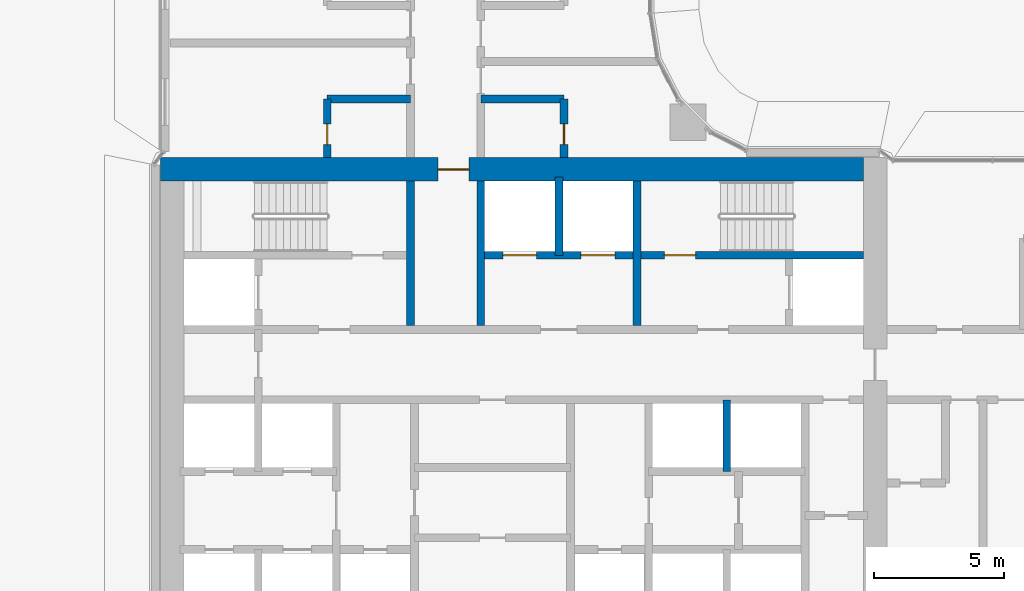
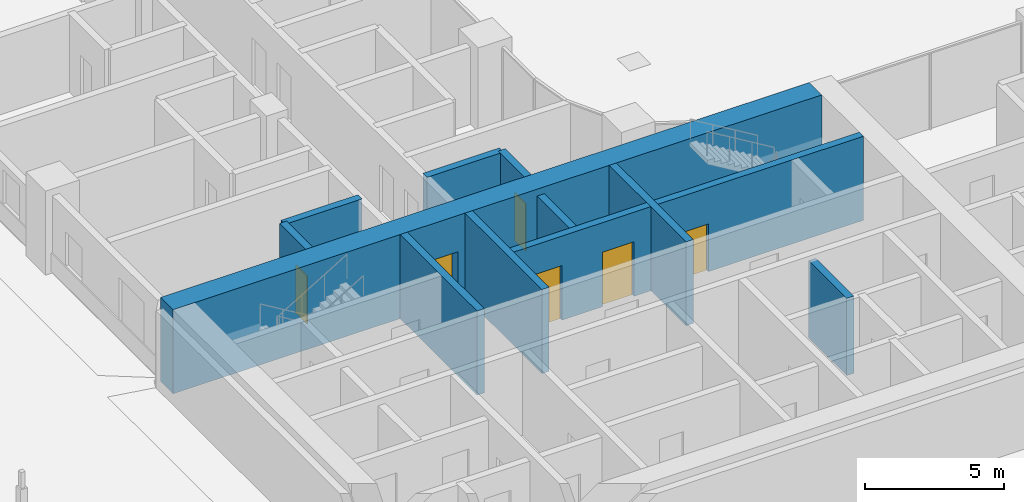
# One storey, part 22 of 51: 11 walls, 6 doors, 6 openings.
"""IFC4 building model written with IfcOpenShell, lengths in metres."""

import ifcopenshell
import ifcopenshell.guid

model = None  # the IFC model being written
_history = None  # IfcOwnerHistory: only IFC2X3 demands one
_inside = {}  # id of a spatial element -> (the spatial element, [elements in it])
_under = {}  # id of a project, library or spatial element -> (it, [spatial elements below it])
_declared = {}  # id of a project -> (the project, [libraries it declares])
_typed = {}  # id of a type object -> (the type object, [elements of that type])
_made_of = {}  # id of a material, layer set ... -> (it, [elements and type objects made of it])


def new_model(schema):
    """Start an empty IFC model of exactly this schema.

    Asked for "IFC4X3", IfcOpenShell would pick the latest addendum, in which some entities
    have other attributes; the version numbers below select the first issue.
    IFC2X3 requires an IfcOwnerHistory on every rooted entity: one is made here for all.
    """
    global model, _history
    if schema == "IFC4X3":
        model = ifcopenshell.file(schema_version=(4, 3, 0, 0))
    else:
        model = ifcopenshell.file(schema=schema)
    _inside.clear()
    _under.clear()
    _declared.clear()
    _typed.clear()
    _made_of.clear()
    _history = None
    if model.schema == "IFC2X3":
        org = make("IfcOrganization", Name="unknown")
        user = make(
            "IfcPersonAndOrganization",
            ThePerson=make("IfcPerson", FamilyName="unknown"),
            TheOrganization=org,
        )
        app = make(
            "IfcApplication",
            ApplicationDeveloper=org,
            Version="unknown",
            ApplicationFullName="unknown",
            ApplicationIdentifier="unknown",
        )
        _history = make(
            "IfcOwnerHistory",
            OwningUser=user,
            OwningApplication=app,
            ChangeAction="ADDED",
            CreationDate=0,
        )
    return model


def make(cls, **values):
    """One entity of the class cls with the attributes given. An attribute that is None is left unset."""
    return model.create_entity(
        cls, **{name: value for name, value in values.items() if value is not None}
    )


def rooted(cls, **values):
    """An entity with a GlobalId (a new one), such as an element, a storey or a relation."""
    return make(cls, GlobalId=ifcopenshell.guid.new(), OwnerHistory=_history, **values)


def si_unit(unit_type, name, prefix=None):
    """IfcSIUnit, for example si_unit("LENGTHUNIT", "METRE", prefix="MILLI")."""
    return make("IfcSIUnit", UnitType=unit_type, Prefix=prefix, Name=name)


def assignment(units):
    """IfcUnitAssignment: the units of a project."""
    return None if units is None else make("IfcUnitAssignment", Units=units)


def point(xyz):
    """IfcCartesianPoint."""
    return None if xyz is None else make("IfcCartesianPoint", Coordinates=xyz)


def direction(xyz):
    """IfcDirection."""
    return None if xyz is None else make("IfcDirection", DirectionRatios=xyz)


def frame(location, z_axis=None, x_axis=None):
    """IfcAxis2Placement3D, a coordinate frame: its origin and axes. An axis left out is left unset."""
    return make(
        "IfcAxis2Placement3D",
        Location=point(location),
        Axis=direction(z_axis),
        RefDirection=direction(x_axis),
    )


def frame_2d(location, x_axis=None):
    """IfcAxis2Placement2D, a coordinate frame in the plane: its origin and x axis."""
    return make(
        "IfcAxis2Placement2D", Location=point(location), RefDirection=direction(x_axis)
    )


def origin():
    """The frame at (0, 0, 0) with its axes left unset."""
    return frame((0.0, 0.0, 0.0))


def place(relative_to, where):
    """IfcLocalPlacement: puts the frame where relative to a parent placement (None: the world)."""
    return make(
        "IfcLocalPlacement", PlacementRelTo=relative_to, RelativePlacement=where
    )


def context(
    kind, dimensions, precision=None, world=None, true_north=None, identifier=None
):
    """IfcGeometricRepresentationContext, for example the 3D "Model" context."""
    return make(
        "IfcGeometricRepresentationContext",
        ContextIdentifier=identifier,
        ContextType=kind,
        CoordinateSpaceDimension=dimensions,
        Precision=precision,
        WorldCoordinateSystem=world,
        TrueNorth=true_north,
    )


def subcontext(parent, identifier, kind, view, scale=None):
    """IfcGeometricRepresentationSubContext, for example "Body" below "Model"."""
    return make(
        "IfcGeometricRepresentationSubContext",
        ContextIdentifier=identifier,
        ContextType=kind,
        ParentContext=parent,
        TargetScale=scale,
        TargetView=view,
    )


def project(units=None, contexts=None):
    """IfcProject with its units and contexts."""
    return rooted(
        "IfcProject",
        Name="project",
        RepresentationContexts=contexts,
        UnitsInContext=assignment(units),
    )


def spatial(cls, under=None, at=None, **own):
    """A site, building, storey or space (cls), placed at a placement, below another one or the project."""
    s = rooted(cls, ObjectPlacement=at, **own)
    if under is not None:
        _under.setdefault(under.id(), (under, []))[1].append(s)
    return s


def profile(cls, at=None, kind="AREA", **sizes):
    """A parametric profile (cls). Its sizes go by their IFC names, for example OverallWidth=200.0."""
    return make(cls, ProfileType=kind, Position=at, **sizes)


def rectangle(**sizes):
    """IfcRectangleProfileDef."""
    return profile("IfcRectangleProfileDef", **sizes)


def extrude(swept, where, along, depth):
    """IfcExtrudedAreaSolid: the profile swept, set in the frame where, extruded along a direction by depth."""
    return make(
        "IfcExtrudedAreaSolid",
        SweptArea=swept,
        Position=where,
        ExtrudedDirection=direction(along),
        Depth=depth,
    )


def shape(context_of_items, identifier, shape_type, items):
    """IfcShapeRepresentation: the items that make up one representation, for example the "Body"."""
    return make(
        "IfcShapeRepresentation",
        ContextOfItems=context_of_items,
        RepresentationIdentifier=identifier,
        RepresentationType=shape_type,
        Items=items,
    )


def material(Name=None, Category=None):
    """IfcMaterial."""
    return make("IfcMaterial", Name=Name, Category=Category)


def layer(
    of_material, thickness, ventilated=None, Name=None, Category=None, Priority=None
):
    """IfcMaterialLayer: one layer of a wall or slab, of a material (None: an air gap)."""
    return make(
        "IfcMaterialLayer",
        Material=of_material,
        LayerThickness=thickness,
        IsVentilated=ventilated,
        Name=Name,
        Category=Category,
        Priority=Priority,
    )


def layer_set(layers, Name=None):
    """IfcMaterialLayerSet."""
    return make("IfcMaterialLayerSet", MaterialLayers=layers, LayerSetName=Name)


def made_of(thing, what):
    """Note that an element or type object is made of a material, layer set ...; save() writes the relation."""
    if what is not None:
        _made_of.setdefault(what.id(), (what, []))[1].append(thing)
    return thing


def type_object(cls, material=None, **own):
    """A type object (cls), such as IfcWallType, which elements share."""
    return made_of(rooted(cls, **own), material)


def element(
    cls,
    number,
    at=None,
    inside=None,
    cuts=None,
    type_object=None,
    material=None,
    context=None,
    identifier="Body",
    shape_type=None,
    held_by="IfcProductDefinitionShape",
    body=None,
    shapes=None,
    **own,
):
    """One element of the class cls, such as IfcWall. Its Tag is "e" and its number.

    at: its placement. inside: the storey or other place that contains it. cuts: it is an
    opening in that element (IfcRelVoidsElement). A single representation is given by context,
    identifier, shape_type and body (its items); several are given by shapes. held_by: the class
    of the entity that holds the representations. save() writes the other relations.
    """
    e = rooted(cls, Tag="e%d" % number, ObjectPlacement=at, **own)
    if body is not None:
        shapes = [shape(context, identifier, shape_type, body)]
    if shapes is not None:
        e.Representation = make(held_by, Representations=shapes)
    if inside is not None:
        _inside.setdefault(inside.id(), (inside, []))[1].append(e)
    if cuts is not None:
        rooted(
            "IfcRelVoidsElement", RelatingBuildingElement=cuts, RelatedOpeningElement=e
        )
    if type_object is not None:
        _typed.setdefault(type_object.id(), (type_object, []))[1].append(e)
    return made_of(e, material)


def fill(opening, filler):
    """IfcRelFillsElement: the door or window that sits in an opening."""
    return rooted(
        "IfcRelFillsElement",
        RelatingOpeningElement=opening,
        RelatedBuildingElement=filler,
    )


def aggregate(whole, parts):
    """IfcRelAggregates: a whole, such as a stair, and the parts it consists of."""
    return rooted("IfcRelAggregates", RelatingObject=whole, RelatedObjects=parts)


def save(model, path):
    """Write the relations noted so far, then the file.

    IfcRelAggregates (storeys below a building ...), IfcRelContainedInSpatialStructure (elements
    in a storey), IfcRelDefinesByType, IfcRelAssociatesMaterial and IfcRelDeclares: one each for
    every whole, place, type object, material and project.
    """
    for whole, parts in _under.values():
        aggregate(whole, parts)
    for where, things in _inside.values():
        rooted(
            "IfcRelContainedInSpatialStructure",
            RelatedElements=things,
            RelatingStructure=where,
        )
    for kind, things in _typed.values():
        rooted("IfcRelDefinesByType", RelatedObjects=things, RelatingType=kind)
    for what, things in _made_of.values():
        rooted("IfcRelAssociatesMaterial", RelatedObjects=things, RelatingMaterial=what)
    for by, libraries in _declared.values():
        rooted("IfcRelDeclares", RelatingContext=by, RelatedDefinitions=libraries)
    model.write(path)


model = new_model("IFC4")

# Units and contexts
model_context = context("Model", 3, precision=1e-05, world=origin(), true_north=direction((0.0, 1.0)))
body_context = subcontext(model_context, "Body", "Model", "MODEL_VIEW")
ifc_project = project(units=[si_unit("LENGTHUNIT", "METRE"), si_unit("AREAUNIT", "SQUARE_METRE"), si_unit("VOLUMEUNIT", "CUBIC_METRE"), si_unit("PLANEANGLEUNIT", "RADIAN"), si_unit("MASSUNIT", "GRAM", prefix="KILO")], contexts=[model_context])

# Site, building, storey
site_placement = place(None, origin())
site = spatial("IfcSite", under=ifc_project, at=site_placement, CompositionType="ELEMENT")
building_placement = place(site_placement, origin())
building = spatial("IfcBuilding", under=site, at=building_placement, Name="Ogive Portal Towers", CompositionType="ELEMENT")
storey_placement = place(building_placement, frame((0.0, 0.0, 33.5)))
storey = spatial("IfcBuildingStorey", under=building, at=storey_placement, Name="L06", CompositionType="ELEMENT", Elevation=33.5)

# Wall, openings, doors
ifc_material_1 = material(Name="Concrete C60/75", Category="concrete")
ifc_layer_1 = layer(ifc_material_1, 0.300048828125)
ifc_layer_set_1 = layer_set([ifc_layer_1], Name="CORE WALL 300 C60")
wall_type_1 = type_object("IfcWallType", Name="CORE WALL 300 C60", PredefinedType="SHEAR", material=ifc_layer_set_1)
wall_1_placement = place(storey_placement, frame((43.5, 36.199951171875, 0.0), z_axis=(0.0, 0.0, 1.0), x_axis=(1.0, 0.0, 0.0)))
wall_1 = element("IfcWall", 1, at=wall_1_placement, inside=storey, type_object=wall_type_1, Name="Core wall Y3b L06", PredefinedType="SHEAR", context=body_context, shape_type="SweptSolid", body=[
    extrude(rectangle(XDim=14.550048828125, YDim=0.300048828125, at=frame_2d((7.27490234375, 0.0))), origin(), (0.0, 0.0, 1.0), 3.699951171875),
])
opening_1_placement = place(wall_1_placement, frame((6.89990234375, 0.0, 0.0)))
opening_1 = element("IfcOpeningElement", 2, at=opening_1_placement, cuts=wall_1, Name="Opening D01-006", PredefinedType="OPENING", context=body_context, shape_type="SweptSolid", body=[
    extrude(rectangle(XDim=1.199951171875, YDim=2.10009765625, at=frame_2d((0.60009765625, 1.050048828125))), frame((0.0, 0.16015625, 0.0), z_axis=(0.0, -1.0, 0.0), x_axis=(1.0, 0.0, 0.0)), (0.0, 0.0, 1.0), 0.320068359375),
])
opening_2_placement = place(wall_1_placement, frame((0.699951171875, 0.0, 0.0)))
opening_2 = element("IfcOpeningElement", 3, at=opening_2_placement, cuts=wall_1, Name="Opening D01-017", PredefinedType="OPENING", context=body_context, shape_type="SweptSolid", body=[
    extrude(rectangle(XDim=1.300048828125, YDim=2.39990234375, at=frame_2d((0.64990234375, 1.199951171875))), frame((0.0, 0.16015625, 0.0), z_axis=(0.0, -1.0, 0.0), x_axis=(1.0, 0.0, 0.0)), (0.0, 0.0, 1.0), 0.320068359375),
])
opening_3_placement = place(wall_1_placement, frame((3.699951171875, 0.0, 0.0)))
opening_3 = element("IfcOpeningElement", 4, at=opening_3_placement, cuts=wall_1, Name="Opening D01-018", PredefinedType="OPENING", context=body_context, shape_type="SweptSolid", body=[
    extrude(rectangle(XDim=1.300048828125, YDim=2.39990234375, at=frame_2d((0.64990234375, 1.199951171875))), frame((0.0, 0.16015625, 0.0), z_axis=(0.0, -1.0, 0.0), x_axis=(1.0, 0.0, 0.0)), (0.0, 0.0, 1.0), 0.320068359375),
])
ifc_material_2 = material(Name="Stainless steel", Category="steel")
door_type_1 = type_object("IfcDoorType", Name="DT-LD-1300x2400", OperationType="SLIDING_TO_LEFT", PredefinedType="DOOR", material=ifc_material_2)
door_1_placement = place(opening_2_placement, origin())
door_1 = element("IfcDoor", 5, at=door_1_placement, inside=storey, type_object=door_type_1, Name="Door D01-017", OperationType="SLIDING_TO_LEFT", OverallHeight=2.39990234375, OverallWidth=1.300048828125, PredefinedType="DOOR", context=body_context, shape_type="SweptSolid", body=[
    extrude(rectangle(XDim=1.300048828125, YDim=2.39990234375, at=frame_2d((0.64990234375, 1.199951171875))), frame((0.0, 0.02490234375, 0.0), z_axis=(0.0, -1.0, 0.0), x_axis=(1.0, 0.0, 0.0)), (0.0, 0.0, 1.0), 0.050048828125),
])
fill(opening_2, door_1)
door_2_placement = place(opening_3_placement, origin())
door_2 = element("IfcDoor", 6, at=door_2_placement, inside=storey, type_object=door_type_1, Name="Door D01-018", OperationType="SLIDING_TO_LEFT", OverallHeight=2.39990234375, OverallWidth=1.300048828125, PredefinedType="DOOR", context=body_context, shape_type="SweptSolid", body=[
    extrude(rectangle(XDim=1.300048828125, YDim=2.39990234375, at=frame_2d((0.64990234375, 1.199951171875))), frame((0.0, 0.02490234375, 0.0), z_axis=(0.0, -1.0, 0.0), x_axis=(1.0, 0.0, 0.0)), (0.0, 0.0, 1.0), 0.050048828125),
])
fill(opening_3, door_2)
ifc_material_3 = material(Name="Steel fire door", Category="steel")
door_type_2 = type_object("IfcDoorType", Name="DT-SWING-1200x2100-FD90S", OperationType="SINGLE_SWING_LEFT", PredefinedType="DOOR", material=ifc_material_3)
door_3_placement = place(opening_1_placement, origin())
door_3 = element("IfcDoor", 7, at=door_3_placement, inside=storey, type_object=door_type_2, Name="Door D01-006", OperationType="SINGLE_SWING_LEFT", OverallHeight=2.10009765625, OverallWidth=1.199951171875, PredefinedType="DOOR", context=body_context, shape_type="SweptSolid", body=[
    extrude(rectangle(XDim=1.199951171875, YDim=2.10009765625, at=frame_2d((0.60009765625, 1.050048828125))), frame((0.0, 0.02490234375, 0.0), z_axis=(0.0, -1.0, 0.0), x_axis=(1.0, 0.0, 0.0)), (0.0, 0.0, 1.0), 0.050048828125),
])
fill(opening_1, door_3)

# Walls
for number, where, z_axis, x_axis, name in (
    (8, (40.64990234375, 33.5, 0.0), (0.0, 0.0, 1.0), (0.0, 1.0, 0.0), "Core wall X6 L06"),
    (9, (43.35009765625, 33.5, 0.0), (0.0, 0.0, 1.0), (0.0, 1.0, 0.0), "Core wall X7 L06"),
    (10, (49.35009765625, 33.5, 0.0), (0.0, 0.0, 1.0), (0.0, 1.0, 0.0), "Core wall X9 L06"),
):
    element("IfcWall", number, at=place(storey_placement, frame(where, z_axis=z_axis, x_axis=x_axis)), inside=storey, type_object=wall_type_1, Name=name, PredefinedType="SHEAR", context=body_context, shape_type="SweptSolid", body=[
        extrude(rectangle(XDim=5.550048828125, YDim=0.300048828125, at=frame_2d((2.77490234375, 0.0))), origin(), (0.0, 0.0, 1.0), 3.699951171875),
    ])

# Wall, opening, door
ifc_layer_2 = layer(ifc_material_1, 0.89990234375)
ifc_layer_set_2 = layer_set([ifc_layer_2], Name="CORE WALL 900 C60")
wall_type_2 = type_object("IfcWallType", Name="CORE WALL 900 C60", PredefinedType="SHEAR", material=ifc_layer_set_2)
wall_2_placement = place(storey_placement, frame((31.050048828125, 39.5, 0.0), z_axis=(0.0, 0.0, 1.0), x_axis=(1.0, 0.0, 0.0)))
wall_2 = element("IfcWall", 11, at=wall_2_placement, inside=storey, type_object=wall_type_2, Name="Core wall N L06", PredefinedType="SHEAR", context=body_context, shape_type="SweptSolid", body=[
    extrude(rectangle(XDim=27.0, YDim=0.89990234375, at=frame_2d((13.5, 0.0))), origin(), (0.0, 0.0, 1.0), 3.699951171875),
])
opening_4_placement = place(wall_2_placement, frame((10.64990234375, 0.0, 0.0)))
opening_4 = element("IfcOpeningElement", 12, at=opening_4_placement, cuts=wall_2, Name="Opening D01-012", PredefinedType="OPENING", context=body_context, shape_type="SweptSolid", body=[
    extrude(rectangle(XDim=1.199951171875, YDim=2.10009765625, at=frame_2d((0.60009765625, 1.050048828125))), frame((0.0, 0.4599609375, 0.0), z_axis=(0.0, -1.0, 0.0), x_axis=(1.0, 0.0, 0.0)), (0.0, 0.0, 1.0), 0.919921875),
])
door_4_placement = place(opening_4_placement, origin())
door_4 = element("IfcDoor", 13, at=door_4_placement, inside=storey, type_object=door_type_2, Name="Door D01-012", OperationType="SINGLE_SWING_RIGHT", OverallHeight=2.10009765625, OverallWidth=1.199951171875, PredefinedType="DOOR", context=body_context, shape_type="SweptSolid", body=[
    extrude(rectangle(XDim=1.199951171875, YDim=2.10009765625, at=frame_2d((0.60009765625, 1.050048828125))), frame((0.0, 0.02490234375, 0.0), z_axis=(0.0, -1.0, 0.0), x_axis=(1.0, 0.0, 0.0)), (0.0, 0.0, 1.0), 0.050048828125),
])
fill(opening_4, door_4)

# Walls
ifc_material_4 = material(Name="Gypsum board partition on steel studs", Category="steel")
ifc_layer_3 = layer(ifc_material_4, 0.300048828125)
ifc_layer_set_3 = layer_set([ifc_layer_3], Name="WT-PART-300-EI 60")
wall_type_3 = type_object("IfcWallType", Name="WT-PART-300-EI 60", PredefinedType="PARTITIONING", material=ifc_layer_set_3)
for number, where, z_axis, x_axis, name in (
    (14, (37.449951171875, 42.199951171875, 0.0), (0.0, 0.0, 1.0), (1.0, 0.0, 0.0), "Wall L06:w014"),
    (15, (43.35009765625, 42.199951171875, 0.0), (0.0, 0.0, 1.0), (1.0, 0.0, 0.0), "Wall L06:w015"),
):
    element("IfcWall", number, at=place(storey_placement, frame(where, z_axis=z_axis, x_axis=x_axis)), inside=storey, type_object=wall_type_3, Name=name, PredefinedType="PARTITIONING", context=body_context, shape_type="SweptSolid", body=[
        extrude(rectangle(XDim=3.199951171875, YDim=0.300048828125, at=frame_2d((1.60009765625, 0.0))), origin(), (0.0, 0.0, 1.0), 3.39990234375),
    ])

# Wall, opening, door
wall_3_placement = place(storey_placement, frame((37.449951171875, 39.949951171875, 0.0), z_axis=(0.0, 0.0, 1.0), x_axis=(0.0, 1.0, 0.0)))
wall_3 = element("IfcWall", 16, at=wall_3_placement, inside=storey, type_object=wall_type_3, Name="Wall L06:w036", PredefinedType="PARTITIONING", context=body_context, shape_type="SweptSolid", body=[
    extrude(rectangle(XDim=2.25, YDim=0.300048828125, at=frame_2d((1.125, 0.0))), origin(), (0.0, 0.0, 1.0), 3.39990234375),
])
opening_5_placement = place(wall_3_placement, frame((0.5, 0.0, 0.0)))
opening_5 = element("IfcOpeningElement", 17, at=opening_5_placement, cuts=wall_3, Name="Opening D01-050", PredefinedType="OPENING", context=body_context, shape_type="SweptSolid", body=[
    extrude(rectangle(XDim=0.800048828125, YDim=2.10009765625, at=frame_2d((0.39990234375, 1.050048828125))), frame((0.0, 0.16015625, 0.0), z_axis=(0.0, -1.0, 0.0), x_axis=(1.0, 0.0, 0.0)), (0.0, 0.0, 1.0), 0.320068359375),
])
door_type_3 = type_object("IfcDoorType", Name="DT-BATH-800x2100-FD60S", OperationType="SINGLE_SWING_LEFT", PredefinedType="DOOR", material=ifc_material_3)
door_5_placement = place(opening_5_placement, origin())
door_5 = element("IfcDoor", 18, at=door_5_placement, inside=storey, type_object=door_type_3, Name="Door D01-050", OperationType="SINGLE_SWING_LEFT", OverallHeight=2.10009765625, OverallWidth=0.800048828125, PredefinedType="DOOR", context=body_context, shape_type="SweptSolid", body=[
    extrude(rectangle(XDim=0.800048828125, YDim=2.10009765625, at=frame_2d((0.39990234375, 1.050048828125))), frame((0.0, 0.02490234375, 0.0), z_axis=(0.0, -1.0, 0.0), x_axis=(1.0, 0.0, 0.0)), (0.0, 0.0, 1.0), 0.050048828125),
])
fill(opening_5, door_5)

wall_4_placement = place(storey_placement, frame((46.550048828125, 39.949951171875, 0.0), z_axis=(0.0, 0.0, 1.0), x_axis=(0.0, 1.0, 0.0)))
wall_4 = element("IfcWall", 19, at=wall_4_placement, inside=storey, type_object=wall_type_3, Name="Wall L06:w044", PredefinedType="PARTITIONING", context=body_context, shape_type="SweptSolid", body=[
    extrude(rectangle(XDim=2.25, YDim=0.300048828125, at=frame_2d((1.125, 0.0))), origin(), (0.0, 0.0, 1.0), 3.39990234375),
])
opening_6_placement = place(wall_4_placement, frame((0.5, 0.0, 0.0)))
opening_6 = element("IfcOpeningElement", 20, at=opening_6_placement, cuts=wall_4, Name="Opening D01-046", PredefinedType="OPENING", context=body_context, shape_type="SweptSolid", body=[
    extrude(rectangle(XDim=0.800048828125, YDim=2.10009765625, at=frame_2d((0.39990234375, 1.050048828125))), frame((0.0, 0.16015625, 0.0), z_axis=(0.0, -1.0, 0.0), x_axis=(1.0, 0.0, 0.0)), (0.0, 0.0, 1.0), 0.320068359375),
])
door_6_placement = place(opening_6_placement, origin())
door_6 = element("IfcDoor", 21, at=door_6_placement, inside=storey, type_object=door_type_3, Name="Door D01-046", OperationType="SINGLE_SWING_RIGHT", OverallHeight=2.10009765625, OverallWidth=0.800048828125, PredefinedType="DOOR", context=body_context, shape_type="SweptSolid", body=[
    extrude(rectangle(XDim=0.800048828125, YDim=2.10009765625, at=frame_2d((0.39990234375, 1.050048828125))), frame((0.0, 0.02490234375, 0.0), z_axis=(0.0, -1.0, 0.0), x_axis=(1.0, 0.0, 0.0)), (0.0, 0.0, 1.0), 0.050048828125),
])
fill(opening_6, door_6)

# Walls
ifc_material_5 = material(Name="Concrete C40/50", Category="concrete")
ifc_layer_4 = layer(ifc_material_5, 0.300048828125)
ifc_layer_set_4 = layer_set([ifc_layer_4], Name="WT-SHAFT-300")
wall_type_4 = type_object("IfcWallType", Name="WT-SHAFT-300", PredefinedType="SOLIDWALL", material=ifc_layer_set_4)
wall_5_placement = place(storey_placement, frame((46.35009765625, 36.199951171875, 0.0), z_axis=(0.0, 0.0, 1.0), x_axis=(0.0, 1.0, 0.0)))
element("IfcWall", 22, at=wall_5_placement, inside=storey, type_object=wall_type_4, Name="Wall pw:010:L06", PredefinedType="SOLIDWALL", context=body_context, shape_type="SweptSolid", body=[
    extrude(rectangle(XDim=3.0, YDim=0.300048828125, at=frame_2d((1.5, 0.0))), origin(), (0.0, 0.0, 1.0), 3.39990234375),
])
wall_6_placement = place(storey_placement, frame((52.800048828125, 27.89990234375, 0.0), z_axis=(0.0, 0.0, 1.0), x_axis=(0.0, 1.0, 0.0)))
element("IfcWall", 23, at=wall_6_placement, inside=storey, type_object=wall_type_4, Name="Wall pw:012:L06", PredefinedType="SOLIDWALL", context=body_context, shape_type="SweptSolid", body=[
    extrude(rectangle(XDim=2.75, YDim=0.300048828125, at=frame_2d((1.375, 0.0))), origin(), (0.0, 0.0, 1.0), 3.39990234375),
])

save(model, "model.ifc")
